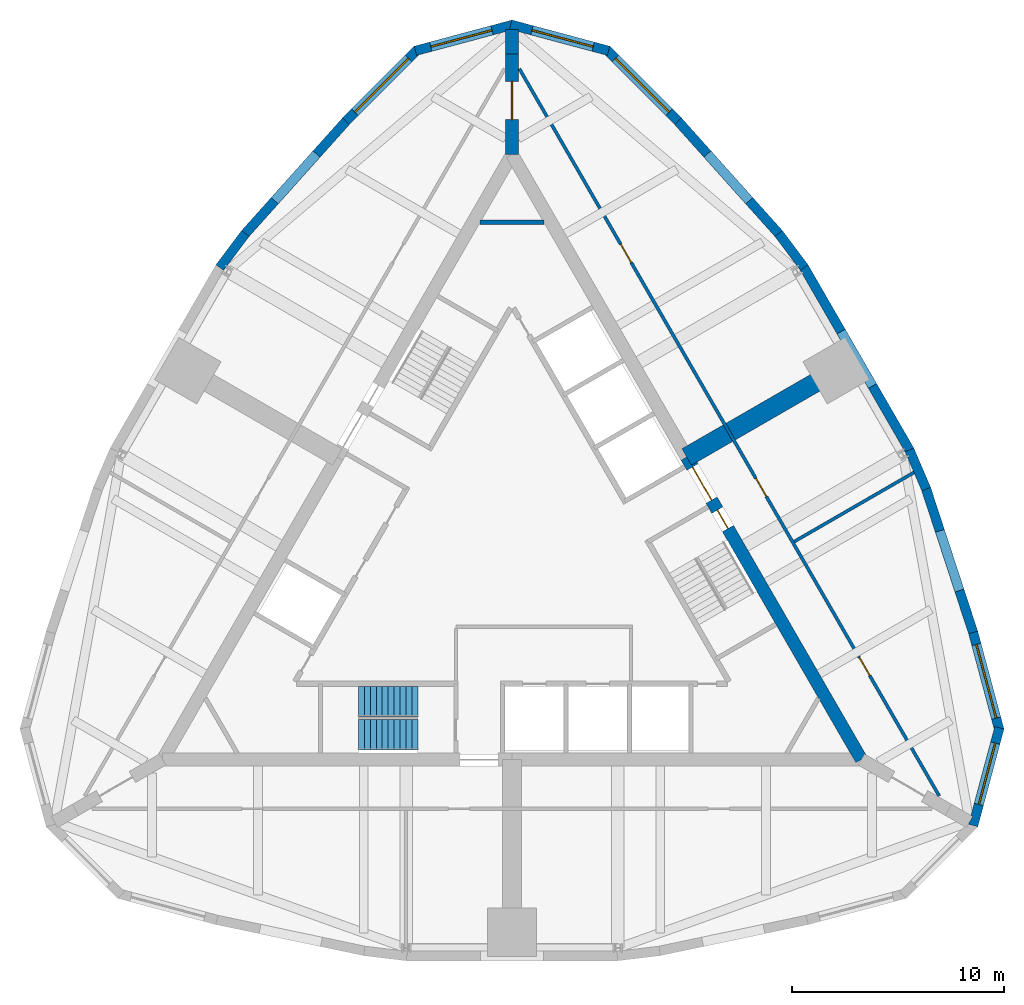
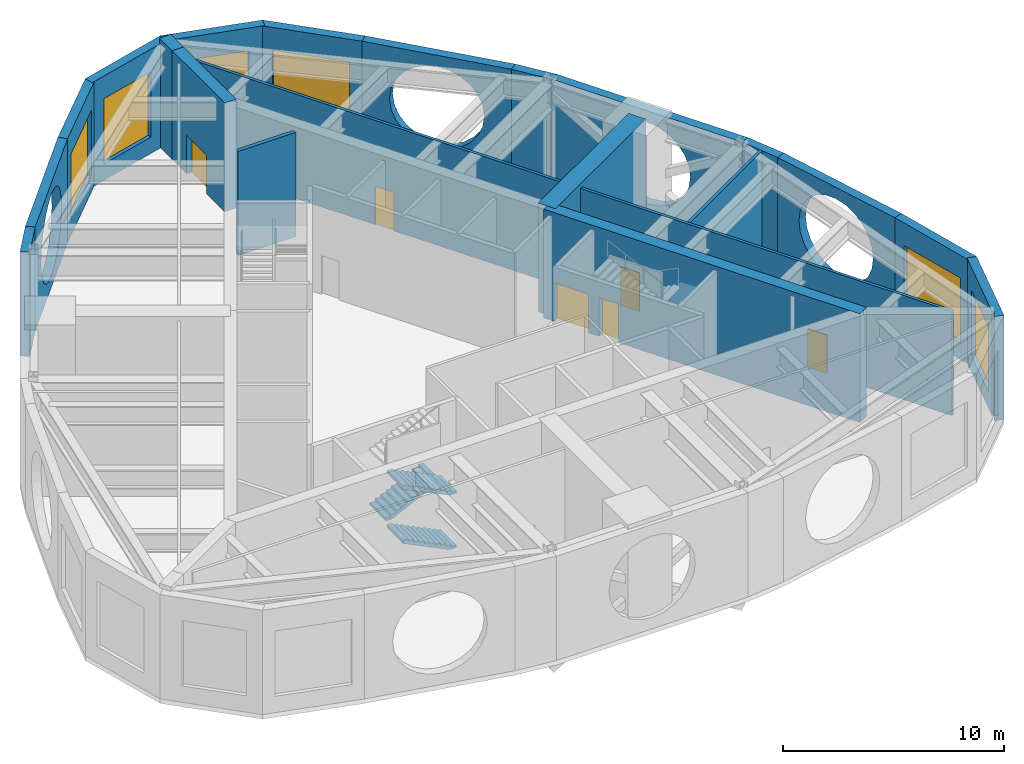
# One storey, part 4 of 6: 20 walls, 6 doors, 6 windows, 3 stair flights, 12 openings, 1 element without a shape of its own.
"""IFC4 building model written with IfcOpenShell, lengths in metres."""

from ifc_helpers import new_model, si_unit, direction, frame, frame_2d, origin, place, context, subcontext, project, spatial, polyline, rectangle, outline, extrude, material, layer, layer_set, type_object, element, fill, aggregate, save


model = new_model("IFC4")

# Units and contexts
model_context = context("Model", 3, precision=1e-05, world=origin(), true_north=direction((0.0, 1.0)))
body_context = subcontext(model_context, "Body", "Model", "MODEL_VIEW")
ifc_project = project(units=[si_unit("LENGTHUNIT", "METRE"), si_unit("AREAUNIT", "SQUARE_METRE"), si_unit("VOLUMEUNIT", "CUBIC_METRE"), si_unit("PLANEANGLEUNIT", "RADIAN"), si_unit("MASSUNIT", "GRAM", prefix="KILO")], contexts=[model_context])

# Site, building, storey
site_placement = place(None, origin())
site = spatial("IfcSite", under=ifc_project, at=site_placement, CompositionType="ELEMENT")
building_placement = place(site_placement, origin())
building = spatial("IfcBuilding", under=site, at=building_placement, Name="Trikona Tower", CompositionType="ELEMENT")
storey_placement = place(building_placement, frame((0.0, 0.0, 275.300048828125)))
storey = spatial("IfcBuildingStorey", under=building, at=storey_placement, Name="L73", CompositionType="ELEMENT", Elevation=275.300048828125)

# Wall, opening, window
ifc_material_1 = material(Name="Brick-faced precast concrete", Category="masonry")
ifc_layer_1 = layer(ifc_material_1, 0.449951171875)
ifc_layer_set_1 = layer_set([ifc_layer_1], Name="Brick-faced corner wall 450")
wall_type_1 = type_object("IfcWallType", Name="Brick-faced corner wall 450", PredefinedType="SOLIDWALL", material=ifc_layer_set_1)
wall_1_placement = place(storey_placement, frame((21.78271484375, -12.6435546875, 0.0), z_axis=(0.0, 0.0, 1.0), x_axis=(0.25880328844, 0.965930048136, 0.0)))
wall_1 = element("IfcWall", 1, at=wall_1_placement, inside=storey, type_object=wall_type_1, Name="External wall L73-07", PredefinedType="SOLIDWALL", context=body_context, shape_type="SweptSolid", body=[
    extrude(outline(polyline([(4.78173828125, 0.22509765625), (0.43115234375, 0.22509765625), (0.40625, 0.132080078125), (0.0595703125, 0.22509765625), (0.0, 0.22509765625), (0.0, -0.22509765625), (4.78173828125, -0.22509765625), (4.78173828125, 0.22509765625)])), origin(), (0.0, 0.0, 1.0), 5.75),
])
opening_1_placement = place(wall_1_placement, frame((1.031494140625, 0.0, 0.89990234375)))
opening_1 = element("IfcOpeningElement", 2, at=opening_1_placement, cuts=wall_1, Name="Opening W3036", PredefinedType="OPENING", context=body_context, shape_type="SweptSolid", body=[
    extrude(rectangle(XDim=3.0, YDim=3.60009765625, at=frame_2d((1.5, 1.800048828125))), frame((0.0, 0.23486328125, 0.0), z_axis=(0.0, -1.0, 0.0), x_axis=(1.0, 0.0, 0.0)), (0.0, 0.0, 1.0), 0.469970703125),
])
ifc_material_2 = material(Name="Aluminium-framed double glazing", Category="aluminium")
window_type_1 = type_object("IfcWindowType", Name="Window 3000x3600", PartitioningType="SINGLE_PANEL", PredefinedType="WINDOW", material=ifc_material_2)
window_1_placement = place(opening_1_placement, origin())
window_1 = element("IfcWindow", 3, at=window_1_placement, inside=storey, type_object=window_type_1, Name="Window L73-ELE", OverallHeight=3.60009765625, OverallWidth=3.0, PartitioningType="SINGLE_PANEL", PredefinedType="WINDOW", context=body_context, shape_type="SweptSolid", body=[
    extrude(rectangle(XDim=3.0, YDim=3.60009765625, at=frame_2d((1.5, 1.800048828125))), frame((0.0, 0.030029296875, 0.0), z_axis=(0.0, -1.0, 0.0), x_axis=(1.0, 0.0, 0.0)), (0.0, 0.0, 1.0), 0.06005859375),
])
fill(opening_1, window_1)

wall_2_placement = place(storey_placement, frame((23.020263671875, -8.14111328125, 0.0), z_axis=(0.0, 0.0, 1.0), x_axis=(-0.25880328844, 0.965930048136, 0.0)))
wall_2 = element("IfcWall", 4, at=wall_2_placement, inside=storey, type_object=wall_type_1, Name="External wall L73-08", PredefinedType="SOLIDWALL", context=body_context, shape_type="SweptSolid", body=[
    extrude(rectangle(XDim=4.78173828125, YDim=0.449951171875, at=frame_2d((2.390869140625, 0.0))), origin(), (0.0, 0.0, 1.0), 5.75),
])
opening_2_placement = place(wall_2_placement, frame((0.5908203125, 0.0, 0.89990234375)))
opening_2 = element("IfcOpeningElement", 5, at=opening_2_placement, cuts=wall_2, Name="Opening W3636", PredefinedType="OPENING", context=body_context, shape_type="SweptSolid", body=[
    extrude(rectangle(XDim=3.60009765625, YDim=3.60009765625, at=frame_2d((1.800048828125, 1.800048828125))), frame((0.0, 0.23486328125, 0.0), z_axis=(0.0, -1.0, 0.0), x_axis=(1.0, 0.0, 0.0)), (0.0, 0.0, 1.0), 0.469970703125),
])
ifc_material_3 = material(Name="Aluminium-framed double glazing", Category="aluminium")
window_type_2 = type_object("IfcWindowType", Name="Window 3600x3600", PartitioningType="SINGLE_PANEL", PredefinedType="WINDOW", material=ifc_material_3)
window_2_placement = place(opening_2_placement, origin())
window_2 = element("IfcWindow", 6, at=window_2_placement, inside=storey, type_object=window_type_2, Name="Window L73-ELE", OverallHeight=3.60009765625, OverallWidth=3.60009765625, PartitioningType="SINGLE_PANEL", PredefinedType="WINDOW", context=body_context, shape_type="SweptSolid", body=[
    extrude(rectangle(XDim=3.60009765625, YDim=3.60009765625, at=frame_2d((1.800048828125, 1.800048828125))), frame((0.0, 0.030029296875, 0.0), z_axis=(0.0, -1.0, 0.0), x_axis=(1.0, 0.0, 0.0)), (0.0, 0.0, 1.0), 0.06005859375),
])
fill(opening_2, window_2)

wall_3_placement = place(storey_placement, frame((7.8408203125, 20.62548828125, 0.0), z_axis=(0.0, 0.0, 1.0), x_axis=(-0.707106781187, 0.707106781187, 0.0)))
wall_3 = element("IfcWall", 7, at=wall_3_placement, inside=storey, type_object=wall_type_1, Name="External wall L73-14", PredefinedType="SOLIDWALL", context=body_context, shape_type="SweptSolid", body=[
    extrude(rectangle(XDim=4.781494140625, YDim=0.449951171875, at=frame_2d((2.390625, 0.0))), origin(), (0.0, 0.0, 1.0), 5.75),
])
opening_3_placement = place(wall_3_placement, frame((0.5908203125, 0.0, 0.89990234375)))
opening_3 = element("IfcOpeningElement", 8, at=opening_3_placement, cuts=wall_3, Name="Opening W3636", PredefinedType="OPENING", context=body_context, shape_type="SweptSolid", body=[
    extrude(rectangle(XDim=3.60009765625, YDim=3.60009765625, at=frame_2d((1.800048828125, 1.800048828125))), frame((0.0, 0.23486328125, 0.0), z_axis=(0.0, -1.0, 0.0), x_axis=(1.0, 0.0, 0.0)), (0.0, 0.0, 1.0), 0.469970703125),
])
window_3_placement = place(opening_3_placement, origin())
window_3 = element("IfcWindow", 9, at=window_3_placement, inside=storey, type_object=window_type_2, Name="Window L73-GRT", OverallHeight=3.60009765625, OverallWidth=3.60009765625, PartitioningType="SINGLE_PANEL", PredefinedType="WINDOW", context=body_context, shape_type="SweptSolid", body=[
    extrude(rectangle(XDim=3.60009765625, YDim=3.60009765625, at=frame_2d((1.800048828125, 1.800048828125))), frame((0.0, 0.030029296875, 0.0), z_axis=(0.0, -1.0, 0.0), x_axis=(1.0, 0.0, 0.0)), (0.0, 0.0, 1.0), 0.06005859375),
])
fill(opening_3, window_3)

wall_4_placement = place(storey_placement, frame((4.560546875, 23.948486328125, 0.0), z_axis=(0.0, 0.0, 1.0), x_axis=(-0.965926628191, 0.258816052347, 0.0)))
wall_4 = element("IfcWall", 10, at=wall_4_placement, inside=storey, type_object=wall_type_1, Name="External wall L73-15", PredefinedType="SOLIDWALL", context=body_context, shape_type="SweptSolid", body=[
    extrude(outline(polyline([(4.781494140625, 0.22509765625), (4.722412109375, 0.22509765625), (4.37548828125, 0.132080078125), (4.3505859375, 0.22509765625), (0.0, 0.22509765625), (0.0, -0.22509765625), (4.781494140625, -0.22509765625), (4.781494140625, 0.22509765625)])), origin(), (0.0, 0.0, 1.0), 5.75),
])
opening_4_placement = place(wall_4_placement, frame((0.750244140625, 0.0, 0.89990234375)))
opening_4 = element("IfcOpeningElement", 11, at=opening_4_placement, cuts=wall_4, Name="Opening W3036", PredefinedType="OPENING", context=body_context, shape_type="SweptSolid", body=[
    extrude(rectangle(XDim=3.0, YDim=3.60009765625, at=frame_2d((1.5, 1.800048828125))), frame((0.0, 0.23486328125, 0.0), z_axis=(0.0, -1.0, 0.0), x_axis=(1.0, 0.0, 0.0)), (0.0, 0.0, 1.0), 0.469970703125),
])
window_4_placement = place(opening_4_placement, origin())
window_4 = element("IfcWindow", 12, at=window_4_placement, inside=storey, type_object=window_type_1, Name="Window L73-GRT", OverallHeight=3.60009765625, OverallWidth=3.0, PartitioningType="SINGLE_PANEL", PredefinedType="WINDOW", context=body_context, shape_type="SweptSolid", body=[
    extrude(rectangle(XDim=3.0, YDim=3.60009765625, at=frame_2d((1.5, 1.800048828125))), frame((0.0, 0.030029296875, 0.0), z_axis=(0.0, -1.0, 0.0), x_axis=(1.0, 0.0, 0.0)), (0.0, 0.0, 1.0), 0.06005859375),
])
fill(opening_4, window_4)

wall_5_placement = place(storey_placement, frame((0.05810546875, 25.18603515625, 0.0), z_axis=(0.0, 0.0, 1.0), x_axis=(-0.965926628191, -0.258816052347, 0.0)))
wall_5 = element("IfcWall", 13, at=wall_5_placement, inside=storey, type_object=wall_type_1, Name="External wall L73-16", PredefinedType="SOLIDWALL", context=body_context, shape_type="SweptSolid", body=[
    extrude(outline(polyline([(4.781494140625, 0.22509765625), (0.430908203125, 0.22509765625), (0.406005859375, 0.132080078125), (0.059326171875, 0.22509765625), (0.0, 0.22509765625), (0.0, -0.22509765625), (4.781494140625, -0.22509765625), (4.781494140625, 0.22509765625)])), origin(), (0.0, 0.0, 1.0), 5.75),
])
opening_5_placement = place(wall_5_placement, frame((1.031494140625, 0.0, 0.89990234375)))
opening_5 = element("IfcOpeningElement", 14, at=opening_5_placement, cuts=wall_5, Name="Opening W3036", PredefinedType="OPENING", context=body_context, shape_type="SweptSolid", body=[
    extrude(rectangle(XDim=3.0, YDim=3.60009765625, at=frame_2d((1.5, 1.800048828125))), frame((0.0, 0.23486328125, 0.0), z_axis=(0.0, -1.0, 0.0), x_axis=(1.0, 0.0, 0.0)), (0.0, 0.0, 1.0), 0.469970703125),
])
window_5_placement = place(opening_5_placement, origin())
window_5 = element("IfcWindow", 15, at=window_5_placement, inside=storey, type_object=window_type_1, Name="Window L73-WTR", OverallHeight=3.60009765625, OverallWidth=3.0, PartitioningType="SINGLE_PANEL", PredefinedType="WINDOW", context=body_context, shape_type="SweptSolid", body=[
    extrude(rectangle(XDim=3.0, YDim=3.60009765625, at=frame_2d((1.5, 1.800048828125))), frame((0.0, 0.030029296875, 0.0), z_axis=(0.0, -1.0, 0.0), x_axis=(1.0, 0.0, 0.0)), (0.0, 0.0, 1.0), 0.06005859375),
])
fill(opening_5, window_5)

wall_6_placement = place(storey_placement, frame((-4.459716796875, 24.006591796875, 0.0), z_axis=(0.0, 0.0, 1.0), x_axis=(-0.707106781187, -0.707106781187, 0.0)))
wall_6 = element("IfcWall", 16, at=wall_6_placement, inside=storey, type_object=wall_type_1, Name="External wall L73-17", PredefinedType="SOLIDWALL", context=body_context, shape_type="SweptSolid", body=[
    extrude(rectangle(XDim=4.781494140625, YDim=0.449951171875, at=frame_2d((2.390625, 0.0))), origin(), (0.0, 0.0, 1.0), 5.75),
])
opening_6_placement = place(wall_6_placement, frame((0.5908203125, 0.0, 0.89990234375)))
opening_6 = element("IfcOpeningElement", 17, at=opening_6_placement, cuts=wall_6, Name="Opening W3636", PredefinedType="OPENING", context=body_context, shape_type="SweptSolid", body=[
    extrude(rectangle(XDim=3.60009765625, YDim=3.60009765625, at=frame_2d((1.800048828125, 1.800048828125))), frame((0.0, 0.23486328125, 0.0), z_axis=(0.0, -1.0, 0.0), x_axis=(1.0, 0.0, 0.0)), (0.0, 0.0, 1.0), 0.469970703125),
])
window_6_placement = place(opening_6_placement, origin())
window_6 = element("IfcWindow", 18, at=window_6_placement, inside=storey, type_object=window_type_2, Name="Window L73-WTR", OverallHeight=3.60009765625, OverallWidth=3.60009765625, PartitioningType="SINGLE_PANEL", PredefinedType="WINDOW", context=body_context, shape_type="SweptSolid", body=[
    extrude(rectangle(XDim=3.60009765625, YDim=3.60009765625, at=frame_2d((1.800048828125, 1.800048828125))), frame((0.0, 0.030029296875, 0.0), z_axis=(0.0, -1.0, 0.0), x_axis=(1.0, 0.0, 0.0)), (0.0, 0.0, 1.0), 0.06005859375),
])
fill(opening_6, window_6)

# Walls
ifc_material_4 = material(Name="Brick-faced precast concrete with louvred openings", Category="masonry")
ifc_layer_2 = layer(ifc_material_4, 0.449951171875)
ifc_layer_set_2 = layer_set([ifc_layer_2], Name="Brick-faced plant wall 450")
wall_type_2 = type_object("IfcWallType", Name="Brick-faced plant wall 450", PredefinedType="SOLIDWALL", material=ifc_layer_set_2)
wall_7_placement = place(storey_placement, frame((21.7861328125, -3.5341796875, 0.0), z_axis=(0.0, 0.0, 1.0), x_axis=(-0.311328857048, 0.95030223759, 0.0)))
element("IfcWall", 19, at=wall_7_placement, inside=storey, type_object=wall_type_2, Name="External wall L73-09", PredefinedType="SOLIDWALL", context=body_context, shape_type="SweptSolid", body=[
    extrude(outline(polyline([(0.0, 0.0), (7.152587890625, 0.0), (7.152587890625, 5.75), (0.0, 5.75), (0.0, 0.0)]), holes=[polyline([(5.826416015625, 2.875), (5.749755859375, 3.457275390625), (5.52490234375, 4.0), (5.167236328125, 4.466064453125), (4.701416015625, 4.823486328125), (4.15869140625, 5.04833984375), (3.576416015625, 5.125), (2.993896484375, 5.04833984375), (2.451416015625, 4.823486328125), (1.9853515625, 4.466064453125), (1.627685546875, 4.0), (1.403076171875, 3.457275390625), (1.326416015625, 2.875), (1.403076171875, 2.292724609375), (1.627685546875, 1.75), (1.9853515625, 1.283935546875), (2.451416015625, 0.92626953125), (2.993896484375, 0.70166015625), (3.576416015625, 0.625), (4.15869140625, 0.70166015625), (4.701416015625, 0.92626953125), (5.167236328125, 1.283935546875), (5.52490234375, 1.75), (5.749755859375, 2.292724609375), (5.826416015625, 2.875)])]), frame((0.0, 0.22509765625, 0.0), z_axis=(0.0, -1.0, 0.0), x_axis=(1.0, 0.0, 0.0)), (0.0, 0.0, 1.0), 0.449951171875),
])
wall_8_placement = place(storey_placement, frame((19.566162109375, 3.24462890625, 0.0), z_axis=(0.0, 0.0, 1.0), x_axis=(-0.393290226175, 0.91941437774, 0.0)))
element("IfcWall", 20, at=wall_8_placement, inside=storey, type_object=wall_type_2, Name="External wall L73-10", PredefinedType="SOLIDWALL", context=body_context, shape_type="SweptSolid", body=[
    extrude(rectangle(XDim=2.014404296875, YDim=0.449951171875, at=frame_2d((1.00732421875, 0.0))), origin(), (0.0, 0.0, 1.0), 5.75),
])
wall_9_placement = place(storey_placement, frame((18.785888671875, 5.072509765625, 0.0), z_axis=(0.0, 0.0, 1.0), x_axis=(-0.499993662806, 0.866029062534, 0.0)))
element("IfcWall", 21, at=wall_9_placement, inside=storey, type_object=wall_type_2, Name="External wall L73-11", PredefinedType="SOLIDWALL", context=body_context, shape_type="SweptSolid", body=[
    extrude(outline(polyline([(0.0, 0.0), (10.000244140625, 0.0), (10.000244140625, 5.75), (0.0, 5.75), (0.0, 0.0)]), holes=[polyline([(7.25, 2.875), (7.17333984375, 3.457275390625), (6.948486328125, 4.0), (6.591064453125, 4.466064453125), (6.125, 4.823486328125), (5.58251953125, 5.04833984375), (5.0, 5.125), (4.417724609375, 5.04833984375), (3.875, 4.823486328125), (3.408935546875, 4.466064453125), (3.051513671875, 4.0), (2.82666015625, 3.457275390625), (2.75, 2.875), (2.82666015625, 2.292724609375), (3.051513671875, 1.75), (3.408935546875, 1.283935546875), (3.875, 0.92626953125), (4.417724609375, 0.70166015625), (5.0, 0.625), (5.58251953125, 0.70166015625), (6.125, 0.92626953125), (6.591064453125, 1.283935546875), (6.948486328125, 1.75), (7.17333984375, 2.292724609375), (7.25, 2.875)])]), frame((0.0, 0.22509765625, 0.0), z_axis=(0.0, -1.0, 0.0), x_axis=(1.0, 0.0, 0.0)), (0.0, 0.0, 1.0), 0.449951171875),
])
wall_10_placement = place(storey_placement, frame((13.80078125, 13.71044921875, 0.0), z_axis=(0.0, 0.0, 1.0), x_axis=(-0.599592679202, 0.800305328638, 0.0)))
element("IfcWall", 22, at=wall_10_placement, inside=storey, type_object=wall_type_2, Name="External wall L73-12", PredefinedType="SOLIDWALL", context=body_context, shape_type="SweptSolid", body=[
    extrude(rectangle(XDim=2.014404296875, YDim=0.449951171875, at=frame_2d((1.00732421875, 0.0))), origin(), (0.0, 0.0, 1.0), 5.75),
])
for number, where, z_axis, x_axis, name in (
    (23, (12.60546875, 15.307373046875, 0.0), (0.0, 0.0, 1.0), (-0.667303550892, 0.744785855778, 0.0), "External wall L73-13"),
    (24, (-7.83251953125, 20.634521484375, 0.0), (0.0, 0.0, 1.0), (-0.667303550892, -0.744785855778, 0.0), "External wall L73-18"),
):
    element("IfcWall", number, at=place(storey_placement, frame(where, z_axis=z_axis, x_axis=x_axis)), inside=storey, type_object=wall_type_2, Name=name, PredefinedType="SOLIDWALL", context=body_context, shape_type="SweptSolid", body=[
        extrude(outline(polyline([(0.0, 0.0), (7.152587890625, 0.0), (7.152587890625, 5.75), (0.0, 5.75), (0.0, 0.0)]), holes=[polyline([(5.826416015625, 2.875), (5.749755859375, 3.457275390625), (5.52490234375, 4.0), (5.16748046875, 4.466064453125), (4.701416015625, 4.823486328125), (4.15869140625, 5.04833984375), (3.576416015625, 5.125), (2.993896484375, 5.04833984375), (2.451416015625, 4.823486328125), (1.9853515625, 4.466064453125), (1.627685546875, 4.0), (1.403076171875, 3.457275390625), (1.326416015625, 2.875), (1.403076171875, 2.292724609375), (1.627685546875, 1.75), (1.9853515625, 1.283935546875), (2.451416015625, 0.92626953125), (2.993896484375, 0.70166015625), (3.576416015625, 0.625), (4.15869140625, 0.70166015625), (4.701416015625, 0.92626953125), (5.16748046875, 1.283935546875), (5.52490234375, 1.75), (5.749755859375, 2.292724609375), (5.826416015625, 2.875)])]), frame((0.0, 0.22509765625, 0.0), z_axis=(0.0, -1.0, 0.0), x_axis=(1.0, 0.0, 0.0)), (0.0, 0.0, 1.0), 0.449951171875),
    ])
wall_11_placement = place(storey_placement, frame((-12.593017578125, 15.322509765625, 0.0), z_axis=(0.0, 0.0, 1.0), x_axis=(-0.599592679202, -0.800305328638, 0.0)))
element("IfcWall", 25, at=wall_11_placement, inside=storey, type_object=wall_type_2, Name="External wall L73-19", PredefinedType="SOLIDWALL", context=body_context, shape_type="SweptSolid", body=[
    extrude(rectangle(XDim=2.014404296875, YDim=0.449951171875, at=frame_2d((1.00732421875, 0.0))), origin(), (0.0, 0.0, 1.0), 5.75),
])

# Wall, opening, door
ifc_material_5 = material(Name="Concrete f'c 10000 psi", Category="concrete")
ifc_layer_3 = layer(ifc_material_5, 0.60009765625)
ifc_layer_set_3 = layer_set([ifc_layer_3], Name="Buttress wall 600")
wall_type_3 = type_object("IfcWallType", Name="Buttress wall 600", PredefinedType="SHEAR", material=ifc_layer_set_3)
wall_12_placement = place(storey_placement, frame((0.0, 19.052490234375, 0.0), z_axis=(0.0, 0.0, 1.0), x_axis=(0.0, 1.0, 0.0)))
wall_12 = element("IfcWall", 26, at=wall_12_placement, inside=storey, type_object=wall_type_3, Name="Buttress wall 2", PredefinedType="SHEAR", context=body_context, shape_type="SweptSolid", body=[
    extrude(rectangle(XDim=4.74609375, YDim=0.60009765625, at=frame_2d((2.373046875, 0.0))), origin(), (0.0, 0.0, 1.0), 6.0),
])
opening_7_placement = place(wall_12_placement, frame((1.64990234375, 0.0, 0.0)))
opening_7 = element("IfcOpeningElement", 27, at=opening_7_placement, cuts=wall_12, Name="Opening D10", PredefinedType="OPENING", context=body_context, shape_type="SweptSolid", body=[
    extrude(rectangle(XDim=1.800048828125, YDim=2.1298828125, at=frame_2d((0.89990234375, 1.06494140625))), frame((0.0, 0.31005859375, 0.0), z_axis=(0.0, -1.0, 0.0), x_axis=(1.0, 0.0, 0.0)), (0.0, 0.0, 1.0), 0.6201171875),
])
ifc_material_6 = material(Name="Hollow metal door and frame", Category="steel")
door_type_1 = type_object("IfcDoorType", Name="Cross-corridor door pair 1800x2130", OperationType="DOUBLE_DOOR_DOUBLE_SWING", PredefinedType="DOOR", material=ifc_material_6)
door_1_placement = place(opening_7_placement, origin())
door_1 = element("IfcDoor", 28, at=door_1_placement, inside=storey, type_object=door_type_1, Name="Cross-corridor door 2", OperationType="DOUBLE_DOOR_DOUBLE_SWING", OverallHeight=2.1298828125, OverallWidth=1.800048828125, PredefinedType="DOOR", context=body_context, shape_type="SweptSolid", body=[
    extrude(rectangle(XDim=1.800048828125, YDim=2.1298828125, at=frame_2d((0.89990234375, 1.06494140625))), frame((0.0, 0.02490234375, 0.0), z_axis=(0.0, -1.0, 0.0), x_axis=(1.0, 0.0, 0.0)), (0.0, 0.0, 1.0), 0.050048828125),
])
fill(opening_7, door_1)

# Wall
wall_13_placement = place(storey_placement, frame((0.0, 23.798583984375, 0.0), z_axis=(0.0, 0.0, 1.0), x_axis=(0.0, 1.0, 0.0)))
element("IfcWall", 29, at=wall_13_placement, inside=storey, type_object=wall_type_3, Name="Buttress wall 2 part 2", PredefinedType="SHEAR", context=body_context, shape_type="SweptSolid", body=[
    extrude(rectangle(XDim=1.15478515625, YDim=0.60009765625, at=frame_2d((0.577392578125, 0.0))), origin(), (0.0, 0.0, 1.0), 6.0),
])

# Wall, openings, doors
ifc_material_7 = material(Name="Concrete f'c 10000 psi", Category="concrete")
ifc_layer_4 = layer(ifc_material_7, 0.60009765625)
ifc_layer_set_4 = layer_set([ifc_layer_4], Name="Core wall 600")
wall_type_4 = type_object("IfcWallType", Name="Core wall 600", PredefinedType="SHEAR", material=ifc_layer_set_4)
wall_14_placement = place(storey_placement, frame((16.5, -9.5263671875, 0.0), z_axis=(0.0, 0.0, 1.0), x_axis=(-0.499996545922, 0.866027397988, 0.0)))
wall_14 = element("IfcWall", 30, at=wall_14_placement, inside=storey, type_object=wall_type_4, Name="Core wall B1", PredefinedType="SHEAR", context=body_context, shape_type="SweptSolid", body=[
    extrude(rectangle(XDim=16.5, YDim=0.60009765625, at=frame_2d((8.25, 0.0))), origin(), (0.0, 0.0, 1.0), 6.0),
])
opening_8_placement = place(wall_14_placement, frame((14.14990234375, 0.0, 0.0)))
opening_8 = element("IfcOpeningElement", 31, at=opening_8_placement, cuts=wall_14, Name="Opening D6", PredefinedType="OPENING", context=body_context, shape_type="SweptSolid", body=[
    extrude(rectangle(XDim=1.800048828125, YDim=2.1298828125, at=frame_2d((0.89990234375, 1.06494140625))), frame((0.0, 0.31005859375, 0.0), z_axis=(0.0, -1.0, 0.0), x_axis=(1.0, 0.0, 0.0)), (0.0, 0.0, 1.0), 0.6201171875),
])
opening_9_placement = place(wall_14_placement, frame((12.60009765625, 0.0, 0.0)))
opening_9 = element("IfcOpeningElement", 32, at=opening_9_placement, cuts=wall_14, Name="Opening D5", PredefinedType="OPENING", context=body_context, shape_type="SweptSolid", body=[
    extrude(rectangle(XDim=1.0, YDim=2.1298828125, at=frame_2d((0.5, 1.06494140625))), frame((0.0, 0.31005859375, 0.0), z_axis=(0.0, -1.0, 0.0), x_axis=(1.0, 0.0, 0.0)), (0.0, 0.0, 1.0), 0.6201171875),
])
ifc_material_8 = material(Name="Hollow metal door and frame", Category="steel")
door_type_2 = type_object("IfcDoorType", Name="Lobby door pair 1800x2130", OperationType="DOUBLE_DOOR_SINGLE_SWING", PredefinedType="DOOR", material=ifc_material_8)
door_2_placement = place(opening_8_placement, origin())
door_2 = element("IfcDoor", 33, at=door_2_placement, inside=storey, type_object=door_type_2, Name="Lift lobby door B", OperationType="DOUBLE_DOOR_SINGLE_SWING", OverallHeight=2.1298828125, OverallWidth=1.800048828125, PredefinedType="DOOR", context=body_context, shape_type="SweptSolid", body=[
    extrude(rectangle(XDim=1.800048828125, YDim=2.1298828125, at=frame_2d((0.89990234375, 1.06494140625))), frame((0.0, 0.02490234375, 0.0), z_axis=(0.0, -1.0, 0.0), x_axis=(1.0, 0.0, 0.0)), (0.0, 0.0, 1.0), 0.050048828125),
])
fill(opening_8, door_2)
ifc_material_9 = material(Name="Hollow metal door and frame", Category="steel")
door_type_3 = type_object("IfcDoorType", Name="Stair door 1000x2130", OperationType="SINGLE_SWING_LEFT", PredefinedType="DOOR", material=ifc_material_9)
door_3_placement = place(opening_9_placement, origin())
door_3 = element("IfcDoor", 34, at=door_3_placement, inside=storey, type_object=door_type_3, Name="Stair B door", OperationType="SINGLE_SWING_RIGHT", OverallHeight=2.1298828125, OverallWidth=1.0, PredefinedType="DOOR", context=body_context, shape_type="SweptSolid", body=[
    extrude(rectangle(XDim=1.0, YDim=2.1298828125, at=frame_2d((0.5, 1.06494140625))), frame((0.0, 0.02490234375, 0.0), z_axis=(0.0, -1.0, 0.0), x_axis=(1.0, 0.0, 0.0)), (0.0, 0.0, 1.0), 0.050048828125),
])
fill(opening_9, door_3)

ifc_material_10 = material(Name="Metal stud and gypsum board, 1-hour", Category="gypsum")
ifc_layer_5 = layer(ifc_material_10, 0.14990234375)
ifc_layer_set_5 = layer_set([ifc_layer_5], Name="Corridor wall 150")
wall_type_5 = type_object("IfcWallType", Name="Corridor wall 150", PredefinedType="PARTITIONING", material=ifc_layer_set_5)
wall_15_placement = place(storey_placement, frame((20.177001953125, -11.2451171875, 0.0), z_axis=(0.0, 0.0, 1.0), x_axis=(-0.499998875317, 0.866026053119, 0.0)))
wall_15 = element("IfcWall", 35, at=wall_15_placement, inside=storey, type_object=wall_type_5, Name="Corridor wall L73-2", PredefinedType="PARTITIONING", context=body_context, shape_type="SweptSolid", body=[
    extrude(rectangle(XDim=39.65380859375, YDim=0.14990234375, at=frame_2d((19.826904296875, 0.0))), origin(), (0.0, 0.0, 1.0), 5.75),
])
opening_10_placement = place(wall_15_placement, frame((6.5634765625, 0.0, 0.0)))
opening_10 = element("IfcOpeningElement", 36, at=opening_10_placement, cuts=wall_15, Name="Opening D3", PredefinedType="OPENING", context=body_context, shape_type="SweptSolid", body=[
    extrude(rectangle(XDim=1.0, YDim=2.1298828125, at=frame_2d((0.5, 1.06494140625))), frame((0.0, 0.0849609375, 0.0), z_axis=(0.0, -1.0, 0.0), x_axis=(1.0, 0.0, 0.0)), (0.0, 0.0, 1.0), 0.169921875),
])
opening_11_placement = place(wall_15_placement, frame((16.326904296875, 0.0, 0.0)))
opening_11 = element("IfcOpeningElement", 37, at=opening_11_placement, cuts=wall_15, Name="Opening D3", PredefinedType="OPENING", context=body_context, shape_type="SweptSolid", body=[
    extrude(rectangle(XDim=1.0, YDim=2.1298828125, at=frame_2d((0.5, 1.06494140625))), frame((0.0, 0.0849609375, 0.0), z_axis=(0.0, -1.0, 0.0), x_axis=(1.0, 0.0, 0.0)), (0.0, 0.0, 1.0), 0.169921875),
])
opening_12_placement = place(wall_15_placement, frame((29.090576171875, 0.0, 0.0)))
opening_12 = element("IfcOpeningElement", 38, at=opening_12_placement, cuts=wall_15, Name="Opening D3", PredefinedType="OPENING", context=body_context, shape_type="SweptSolid", body=[
    extrude(rectangle(XDim=1.0, YDim=2.1298828125, at=frame_2d((0.5, 1.06494140625))), frame((0.0, 0.0849609375, 0.0), z_axis=(0.0, -1.0, 0.0), x_axis=(1.0, 0.0, 0.0)), (0.0, 0.0, 1.0), 0.169921875),
])
ifc_material_11 = material(Name="Steel door frame with solid-core timber leaf", Category="steel")
door_type_4 = type_object("IfcDoorType", Name="Room door 1000x2130", OperationType="SINGLE_SWING_LEFT", PredefinedType="DOOR", material=ifc_material_11)
door_4_placement = place(opening_10_placement, origin())
door_4 = element("IfcDoor", 39, at=door_4_placement, inside=storey, type_object=door_type_4, Name="Door Electrical switch room", OperationType="SINGLE_SWING_LEFT", OverallHeight=2.1298828125, OverallWidth=1.0, PredefinedType="DOOR", context=body_context, shape_type="SweptSolid", body=[
    extrude(rectangle(XDim=1.0, YDim=2.1298828125, at=frame_2d((0.5, 1.06494140625))), frame((0.0, 0.02490234375, 0.0), z_axis=(0.0, -1.0, 0.0), x_axis=(1.0, 0.0, 0.0)), (0.0, 0.0, 1.0), 0.050048828125),
])
fill(opening_10, door_4)
door_5_placement = place(opening_11_placement, origin())
door_5 = element("IfcDoor", 40, at=door_5_placement, inside=storey, type_object=door_type_4, Name="Door Air handling plant", OperationType="SINGLE_SWING_RIGHT", OverallHeight=2.1298828125, OverallWidth=1.0, PredefinedType="DOOR", context=body_context, shape_type="SweptSolid", body=[
    extrude(rectangle(XDim=1.0, YDim=2.1298828125, at=frame_2d((0.5, 1.06494140625))), frame((0.0, 0.02490234375, 0.0), z_axis=(0.0, -1.0, 0.0), x_axis=(1.0, 0.0, 0.0)), (0.0, 0.0, 1.0), 0.050048828125),
])
fill(opening_11, door_5)
door_6_placement = place(opening_12_placement, origin())
door_6 = element("IfcDoor", 41, at=door_6_placement, inside=storey, type_object=door_type_4, Name="Door Grease interceptor plant room", OperationType="SINGLE_SWING_LEFT", OverallHeight=2.1298828125, OverallWidth=1.0, PredefinedType="DOOR", context=body_context, shape_type="SweptSolid", body=[
    extrude(rectangle(XDim=1.0, YDim=2.1298828125, at=frame_2d((0.5, 1.06494140625))), frame((0.0, 0.02490234375, 0.0), z_axis=(0.0, -1.0, 0.0), x_axis=(1.0, 0.0, 0.0)), (0.0, 0.0, 1.0), 0.050048828125),
])
fill(opening_12, door_6)

# Walls
ifc_material_12 = material(Name="Concrete f'c 10000 psi", Category="concrete")
ifc_layer_6 = layer(ifc_material_12, 0.89990234375)
ifc_layer_set_6 = layer_set([ifc_layer_6], Name="Outrigger wall 900")
wall_type_6 = type_object("IfcWallType", Name="Outrigger wall 900", PredefinedType="SHEAR", material=ifc_layer_set_6)
wall_16_placement = place(storey_placement, frame((8.25, 4.76318359375, 0.0), z_axis=(0.0, 0.0, 1.0), x_axis=(0.866023543838, 0.500003221507, 0.0)))
element("IfcWall", 42, at=wall_16_placement, inside=storey, type_object=wall_type_6, Name="Outrigger wall 2", PredefinedType="SHEAR", context=body_context, shape_type="SweptSolid", body=[
    extrude(rectangle(XDim=8.154296875, YDim=0.89990234375, at=frame_2d((4.0771484375, 0.0))), origin(), (0.0, 0.0, 1.0), 6.0),
])
ifc_material_13 = material(Name="Metal stud and gypsum board, 1-hour acoustic", Category="gypsum")
ifc_layer_7 = layer(ifc_material_13, 0.14990234375)
ifc_layer_set_7 = layer_set([ifc_layer_7], Name="Party wall 150")
wall_type_7 = type_object("IfcWallType", Name="Party wall 150", PredefinedType="PARTITIONING", material=ifc_layer_set_7)
wall_17_placement = place(storey_placement, frame((13.32861328125, 0.76708984375, 0.0), z_axis=(0.0, 0.0, 1.0), x_axis=(0.866020720842, 0.500008111007, 0.0)))
element("IfcWall", 43, at=wall_17_placement, inside=storey, type_object=wall_type_7, Name="Partition L73 F2 u-6", PredefinedType="PARTITIONING", context=body_context, shape_type="SweptSolid", body=[
    extrude(rectangle(XDim=6.732421875, YDim=0.14990234375, at=frame_2d((3.3662109375, 0.0))), origin(), (0.0, 0.0, 1.0), 5.75),
])
ifc_material_14 = material(Name="Concrete f'c 8000 psi", Category="concrete")
ifc_layer_8 = layer(ifc_material_14, 0.199951171875)
ifc_layer_set_8 = layer_set([ifc_layer_8], Name="Shaft wall 200")
wall_type_8 = type_object("IfcWallType", Name="Shaft wall 200", PredefinedType="SOLIDWALL", material=ifc_layer_set_8)
wall_18_placement = place(storey_placement, frame((-1.501220703125, 15.8525390625, 0.0), z_axis=(0.0, 0.0, 1.0), x_axis=(1.0, 0.0, 0.0)))
element("IfcWall", 44, at=wall_18_placement, inside=storey, type_object=wall_type_8, Name="Riser wall L73-RS2", PredefinedType="SOLIDWALL", context=body_context, shape_type="SweptSolid", body=[
    extrude(rectangle(XDim=3.00244140625, YDim=0.199951171875, at=frame_2d((1.501220703125, 0.0))), origin(), (0.0, 0.0, 1.0), 5.75),
])

# Stair, stair flights
ifc_material_15 = material(Name="Concrete f'c 5000 psi", Category="concrete")
stair_type = type_object("IfcStairType", Name="Core stair", PredefinedType="HALF_TURN_STAIR", material=ifc_material_15)
stair_placement = place(storey_placement, origin())
stair = element("IfcStair", 45, at=stair_placement, inside=storey, type_object=stair_type, Name="Stair A L73", PredefinedType="HALF_TURN_STAIR")
ifc_material_16 = material(Name="Concrete f'c 5000 psi", Category="concrete")
stair_flight_type = type_object("IfcStairFlightType", Name="Core stair flight 1450", PredefinedType="STRAIGHT", material=ifc_material_16)
stair_flight_1_placement = place(storey_placement, frame((-4.449951171875, -8.351318359375, 0.0), z_axis=(0.0, 0.0, 1.0), x_axis=(-1.0, 0.0, 0.0)))
stair_flight_1 = element("IfcStairFlight", 46, at=stair_flight_1_placement, type_object=stair_flight_type, Name="ST-A flight 1", NumberOfRisers=11, NumberOfTreads=10, PredefinedType="STRAIGHT", RiserHeight=0.136364, TreadLength=0.28, context=body_context, shape_type="SweptSolid", body=[
    extrude(outline(polyline([(0.0, 0.0), (0.0, 0.136474609375), (0.280029296875, 0.136474609375), (0.280029296875, 0.272705078125), (0.56005859375, 0.272705078125), (0.56005859375, 0.4091796875), (0.840087890625, 0.4091796875), (0.840087890625, 0.54541015625), (1.1201171875, 0.54541015625), (1.1201171875, 0.681884765625), (1.39990234375, 0.681884765625), (1.39990234375, 0.818115234375), (1.679931640625, 0.818115234375), (1.679931640625, 0.95458984375), (1.9599609375, 0.95458984375), (1.9599609375, 1.0908203125), (2.239990234375, 1.0908203125), (2.239990234375, 1.227294921875), (2.52001953125, 1.227294921875), (2.52001953125, 1.363525390625), (2.800048828125, 1.363525390625), (2.800048828125, 1.5), (2.800048828125, 1.197021484375), (0.34228515625, 0.0), (0.0, 0.0)])), frame((0.0, 0.72509765625, 0.0), z_axis=(0.0, -1.0, 0.0), x_axis=(1.0, 0.0, 0.0)), (0.0, 0.0, 1.0), 1.449951171875),
])
stair_flight_2_placement = place(storey_placement, frame((-7.25, -6.80126953125, 1.5), z_axis=(0.0, 0.0, 1.0), x_axis=(1.0, 0.0, 0.0)))
stair_flight_2 = element("IfcStairFlight", 47, at=stair_flight_2_placement, type_object=stair_flight_type, Name="ST-A flight 2", NumberOfRisers=11, NumberOfTreads=10, PredefinedType="STRAIGHT", RiserHeight=0.136364, TreadLength=0.28, context=body_context, shape_type="SweptSolid", body=[
    extrude(outline(polyline([(0.0, 0.0), (0.0, 0.136474609375), (0.280029296875, 0.136474609375), (0.280029296875, 0.272705078125), (0.56005859375, 0.272705078125), (0.56005859375, 0.4091796875), (0.840087890625, 0.4091796875), (0.840087890625, 0.54541015625), (1.1201171875, 0.54541015625), (1.1201171875, 0.681884765625), (1.39990234375, 0.681884765625), (1.39990234375, 0.818115234375), (1.679931640625, 0.818115234375), (1.679931640625, 0.95458984375), (1.9599609375, 0.95458984375), (1.9599609375, 1.0908203125), (2.239990234375, 1.0908203125), (2.239990234375, 1.227294921875), (2.52001953125, 1.227294921875), (2.52001953125, 1.363525390625), (2.800048828125, 1.363525390625), (2.800048828125, 1.5), (2.800048828125, 1.197021484375), (0.34228515625, 0.0), (0.0, 0.0)])), frame((0.0, 0.72509765625, 0.0), z_axis=(0.0, -1.0, 0.0), x_axis=(1.0, 0.0, 0.0)), (0.0, 0.0, 1.0), 1.449951171875),
])
stair_flight_3_placement = place(storey_placement, frame((-4.449951171875, -8.351318359375, 3.0), z_axis=(0.0, 0.0, 1.0), x_axis=(-1.0, 0.0, 0.0)))
stair_flight_3 = element("IfcStairFlight", 48, at=stair_flight_3_placement, type_object=stair_flight_type, Name="ST-A flight 3", NumberOfRisers=11, NumberOfTreads=10, PredefinedType="STRAIGHT", RiserHeight=0.136364, TreadLength=0.28, context=body_context, shape_type="SweptSolid", body=[
    extrude(outline(polyline([(0.0, 0.0), (0.0, 0.136474609375), (0.280029296875, 0.136474609375), (0.280029296875, 0.272705078125), (0.56005859375, 0.272705078125), (0.56005859375, 0.4091796875), (0.840087890625, 0.4091796875), (0.840087890625, 0.54541015625), (1.1201171875, 0.54541015625), (1.1201171875, 0.681884765625), (1.39990234375, 0.681884765625), (1.39990234375, 0.818115234375), (1.679931640625, 0.818115234375), (1.679931640625, 0.95458984375), (1.9599609375, 0.95458984375), (1.9599609375, 1.0908203125), (2.239990234375, 1.0908203125), (2.239990234375, 1.227294921875), (2.52001953125, 1.227294921875), (2.52001953125, 1.363525390625), (2.800048828125, 1.363525390625), (2.800048828125, 1.5), (2.800048828125, 1.197021484375), (0.34228515625, 0.0), (0.0, 0.0)])), frame((0.0, 0.72509765625, 0.0), z_axis=(0.0, -1.0, 0.0), x_axis=(1.0, 0.0, 0.0)), (0.0, 0.0, 1.0), 1.449951171875),
])
aggregate(stair, [stair_flight_1, stair_flight_2, stair_flight_3])

save(model, "model.ifc")
